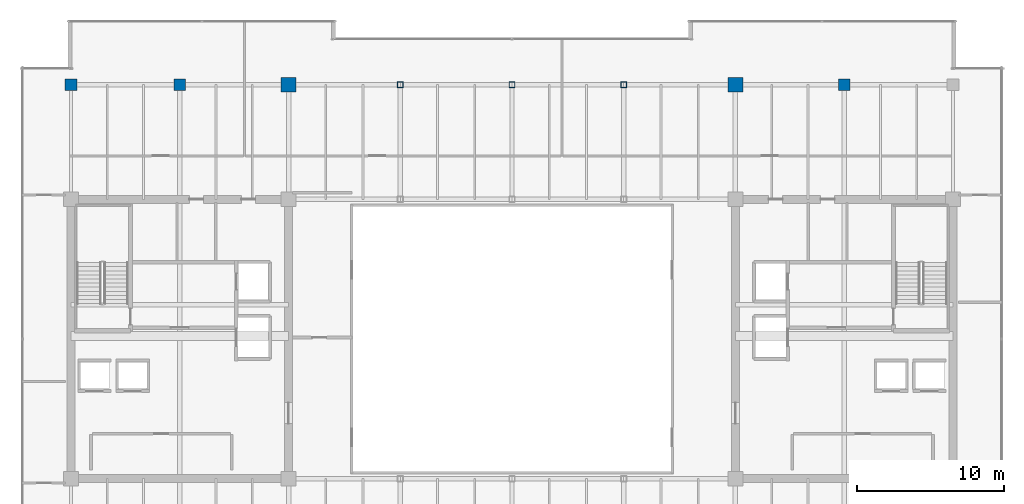
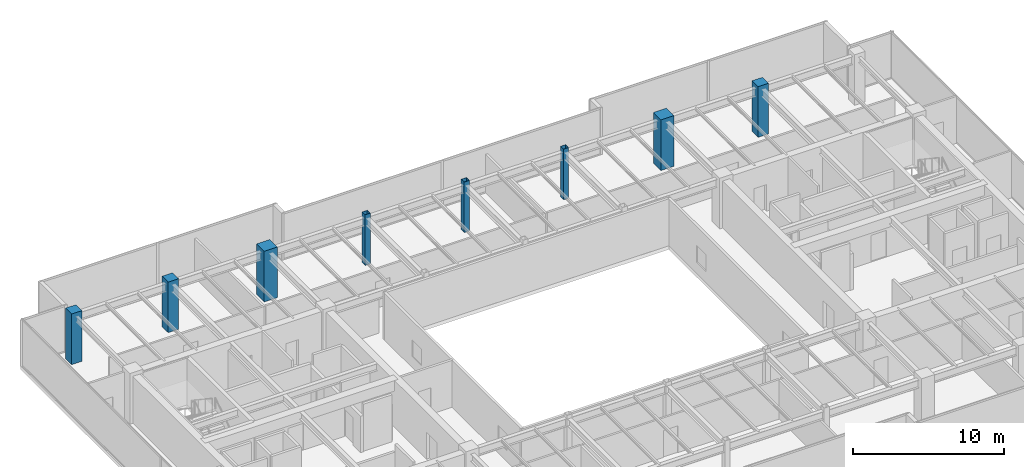
# One storey, part 3 of 33: 8 columns.
"""IFC4 building model written with IfcOpenShell, lengths in metres."""

from ifc_helpers import new_model, si_unit, direction, frame, origin, origin_2d, place, context, subcontext, project, spatial, rectangle, hollow_rectangle, extrude, source, transform, mapped, material, material_profile, profile_set, type_object, type_shapes, element, save


model = new_model("IFC4")

# Units and contexts
model_context = context("Model", 3, precision=1e-05, world=origin(), true_north=direction((0.0, 1.0)))
body_context = subcontext(model_context, "Body", "Model", "MODEL_VIEW")
ifc_project = project(units=[si_unit("LENGTHUNIT", "METRE"), si_unit("AREAUNIT", "SQUARE_METRE"), si_unit("VOLUMEUNIT", "CUBIC_METRE"), si_unit("PLANEANGLEUNIT", "RADIAN"), si_unit("MASSUNIT", "GRAM", prefix="KILO")], contexts=[model_context])

# Site, building, storey
site_placement = place(None, origin())
site = spatial("IfcSite", under=ifc_project, at=site_placement, CompositionType="ELEMENT")
building_placement = place(site_placement, origin())
building = spatial("IfcBuilding", under=site, at=building_placement, Name="Haelvirn Gate Laboratories", CompositionType="ELEMENT")
storey_placement = place(building_placement, frame((0.0, 0.0, 279.300048828125)))
storey = spatial("IfcBuildingStorey", under=building, at=storey_placement, Name="L67", CompositionType="ELEMENT", Elevation=279.300048828125)

# Columns
ifc_material_1 = material(Name="Concrete C60/75", Category="concrete")
ifc_material_profile_1 = material_profile(ifc_material_1, rectangle(XDim=1.0, YDim=1.0, at=origin_2d()), Name="RC-1000x1000")
ifc_profile_set_1 = profile_set([ifc_material_profile_1], Name="Concrete C60/75")
column_type_1 = type_object("IfcColumnType", Name="COL-RC-1000", PredefinedType="COLUMN", material=ifc_profile_set_1)
shared_shape_1 = source(origin(), body_context, "Body", "SweptSolid", [
    extrude(rectangle(XDim=1.0, YDim=1.0, at=origin_2d()), origin(), (0.0, 0.0, 1.0), 4.099853515625),
])
type_shapes(column_type_1, [shared_shape_1])
for number, where, z_axis, x_axis, name in (
    (1, (22.199951171875, 41.60009765625, 0.0), (0.0, 0.0, 1.0), (1.0, 0.0, 0.0), "L67 Column 4G"),
    (2, (52.60009765625, 41.60009765625, 0.0), (0.0, 0.0, 1.0), (1.0, 0.0, 0.0), "L67 Column 8G"),
):
    element("IfcColumn", number, at=place(storey_placement, frame(where, z_axis=z_axis, x_axis=x_axis)), inside=storey, type_object=column_type_1, Name=name, PredefinedType="COLUMN", context=body_context, shape_type="MappedRepresentation", body=[
        mapped(shared_shape_1, transform((0.0, 0.0, 0.0), scale=1.0)),
    ])
ifc_material_2 = material(Name="Concrete C50/60", Category="concrete")
ifc_material_profile_2 = material_profile(ifc_material_2, rectangle(XDim=0.800048828125, YDim=0.800048828125, at=origin_2d()), Name="RC-800x800")
ifc_profile_set_2 = profile_set([ifc_material_profile_2], Name="Concrete C50/60")
column_type_2 = type_object("IfcColumnType", Name="COL-RC-800", PredefinedType="COLUMN", material=ifc_profile_set_2)
shared_shape_2 = source(origin(), body_context, "Body", "SweptSolid", [
    extrude(rectangle(XDim=0.800048828125, YDim=0.800048828125, at=origin_2d()), origin(), (0.0, 0.0, 1.0), 4.099853515625),
])
type_shapes(column_type_2, [shared_shape_2])
for number, where, z_axis, x_axis, name in (
    (3, (14.800048828125, 41.60009765625, 0.0), (0.0, 0.0, 1.0), (1.0, 0.0, 0.0), "L67 Column 3G"),
    (4, (60.0, 41.60009765625, 0.0), (0.0, 0.0, 1.0), (1.0, 0.0, 0.0), "L67 Column 9G"),
    (5, (7.39990234375, 41.60009765625, 0.0), (0.0, 0.0, 1.0), (1.0, 0.0, 0.0), "L67 Column 2G"),
):
    element("IfcColumn", number, at=place(storey_placement, frame(where, z_axis=z_axis, x_axis=x_axis)), inside=storey, type_object=column_type_2, Name=name, PredefinedType="COLUMN", context=body_context, shape_type="MappedRepresentation", body=[
        mapped(shared_shape_2, transform((0.0, 0.0, 0.0), scale=1.0)),
    ])
ifc_material_3 = material(Name="Steel SM355", Category="steel")
ifc_material_profile_3 = material_profile(ifc_material_3, hollow_rectangle(XDim=0.39990234375, YDim=0.39990234375, WallThickness=0.01904296875, at=origin_2d()), Name="BOX-400x400x19")
ifc_profile_set_3 = profile_set([ifc_material_profile_3], Name="Steel SM355")
column_type_3 = type_object("IfcColumnType", Name="COL-BOX-400", PredefinedType="COLUMN", material=ifc_profile_set_3)
shared_shape_3 = source(origin(), body_context, "Body", "SweptSolid", [
    extrude(hollow_rectangle(XDim=0.39990234375, YDim=0.39990234375, WallThickness=0.01904296875, at=origin_2d()), origin(), (0.0, 0.0, 1.0), 4.099853515625),
])
type_shapes(column_type_3, [shared_shape_3])
for number, where, z_axis, x_axis, name in (
    (6, (29.800048828125, 41.60009765625, 0.0), (0.0, 0.0, 1.0), (1.0, 0.0, 0.0), "L67 Column 5G"),
    (7, (37.39990234375, 41.60009765625, 0.0), (0.0, 0.0, 1.0), (1.0, 0.0, 0.0), "L67 Column 6G"),
    (8, (45.0, 41.60009765625, 0.0), (0.0, 0.0, 1.0), (1.0, 0.0, 0.0), "L67 Column 7G"),
):
    element("IfcColumn", number, at=place(storey_placement, frame(where, z_axis=z_axis, x_axis=x_axis)), inside=storey, type_object=column_type_3, Name=name, PredefinedType="COLUMN", context=body_context, shape_type="MappedRepresentation", body=[
        mapped(shared_shape_3, transform((0.0, 0.0, 0.0), scale=1.0)),
    ])

save(model, "model.ifc")
